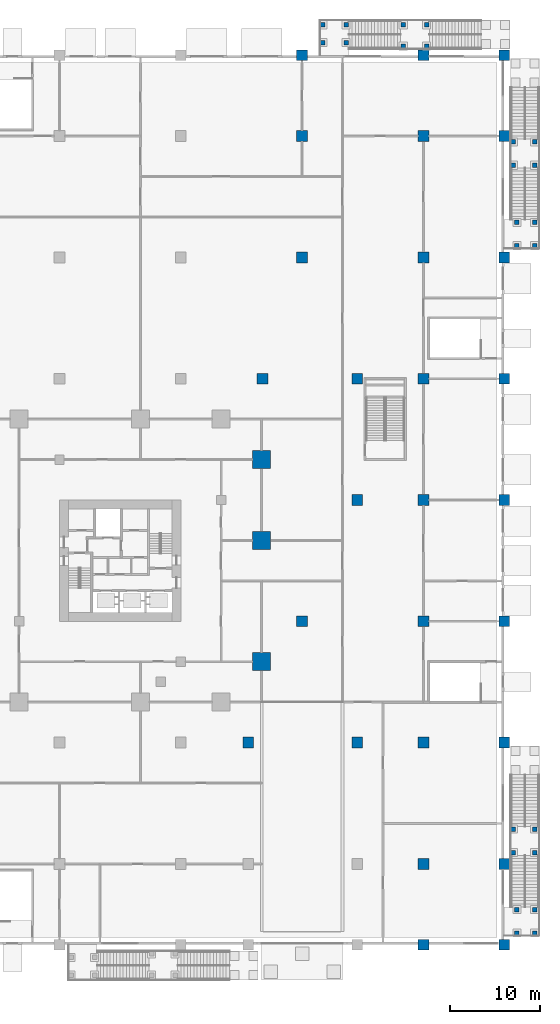
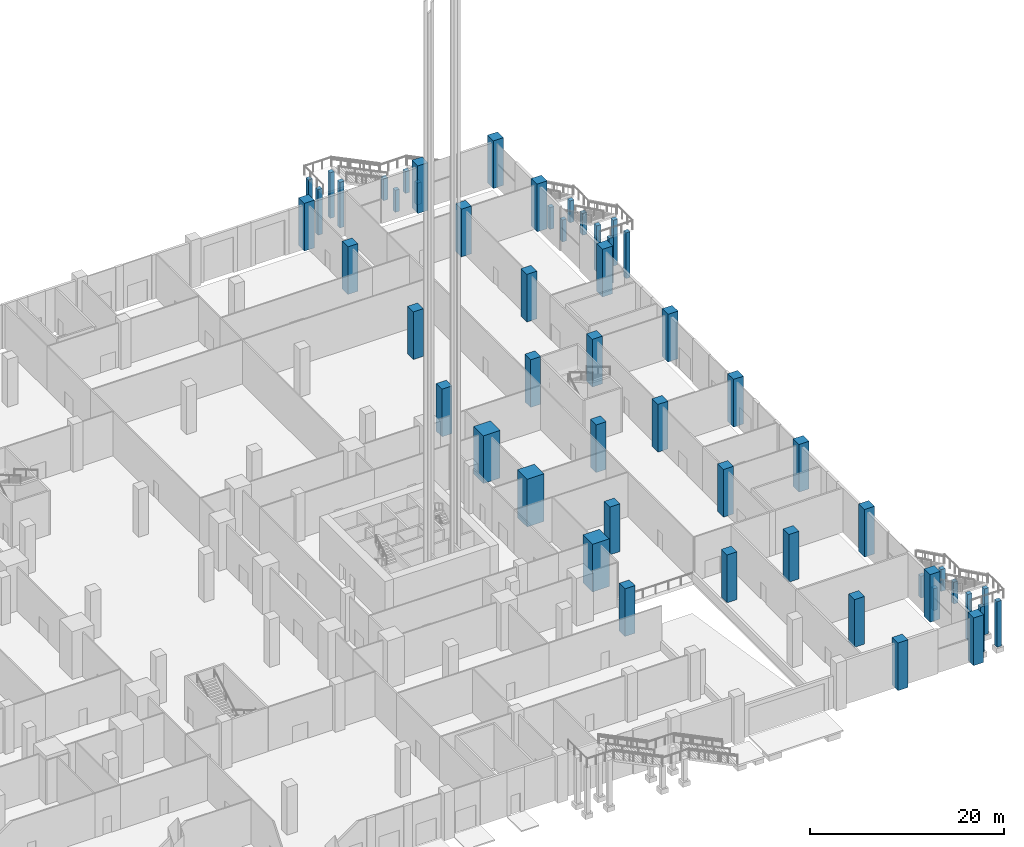
# One storey, part 4 of 68: 54 columns.
"""IFC4 building model written with IfcOpenShell, lengths in metres."""

import ifcopenshell
import ifcopenshell.guid

model = None  # the IFC model being written
_history = None  # IfcOwnerHistory: only IFC2X3 demands one
_inside = {}  # id of a spatial element -> (the spatial element, [elements in it])
_under = {}  # id of a project, library or spatial element -> (it, [spatial elements below it])
_declared = {}  # id of a project -> (the project, [libraries it declares])
_typed = {}  # id of a type object -> (the type object, [elements of that type])
_made_of = {}  # id of a material, layer set ... -> (it, [elements and type objects made of it])


def new_model(schema):
    """Start an empty IFC model of exactly this schema.

    Asked for "IFC4X3", IfcOpenShell would pick the latest addendum, in which some entities
    have other attributes; the version numbers below select the first issue.
    IFC2X3 requires an IfcOwnerHistory on every rooted entity: one is made here for all.
    """
    global model, _history
    if schema == "IFC4X3":
        model = ifcopenshell.file(schema_version=(4, 3, 0, 0))
    else:
        model = ifcopenshell.file(schema=schema)
    _inside.clear()
    _under.clear()
    _declared.clear()
    _typed.clear()
    _made_of.clear()
    _history = None
    if model.schema == "IFC2X3":
        org = make("IfcOrganization", Name="unknown")
        user = make(
            "IfcPersonAndOrganization",
            ThePerson=make("IfcPerson", FamilyName="unknown"),
            TheOrganization=org,
        )
        app = make(
            "IfcApplication",
            ApplicationDeveloper=org,
            Version="unknown",
            ApplicationFullName="unknown",
            ApplicationIdentifier="unknown",
        )
        _history = make(
            "IfcOwnerHistory",
            OwningUser=user,
            OwningApplication=app,
            ChangeAction="ADDED",
            CreationDate=0,
        )
    return model


def make(cls, **values):
    """One entity of the class cls with the attributes given. An attribute that is None is left unset."""
    return model.create_entity(
        cls, **{name: value for name, value in values.items() if value is not None}
    )


def rooted(cls, **values):
    """An entity with a GlobalId (a new one), such as an element, a storey or a relation."""
    return make(cls, GlobalId=ifcopenshell.guid.new(), OwnerHistory=_history, **values)


def si_unit(unit_type, name, prefix=None):
    """IfcSIUnit, for example si_unit("LENGTHUNIT", "METRE", prefix="MILLI")."""
    return make("IfcSIUnit", UnitType=unit_type, Prefix=prefix, Name=name)


def assignment(units):
    """IfcUnitAssignment: the units of a project."""
    return None if units is None else make("IfcUnitAssignment", Units=units)


def point(xyz):
    """IfcCartesianPoint."""
    return None if xyz is None else make("IfcCartesianPoint", Coordinates=xyz)


def direction(xyz):
    """IfcDirection."""
    return None if xyz is None else make("IfcDirection", DirectionRatios=xyz)


def frame(location, z_axis=None, x_axis=None):
    """IfcAxis2Placement3D, a coordinate frame: its origin and axes. An axis left out is left unset."""
    return make(
        "IfcAxis2Placement3D",
        Location=point(location),
        Axis=direction(z_axis),
        RefDirection=direction(x_axis),
    )


def frame_2d(location, x_axis=None):
    """IfcAxis2Placement2D, a coordinate frame in the plane: its origin and x axis."""
    return make(
        "IfcAxis2Placement2D", Location=point(location), RefDirection=direction(x_axis)
    )


def origin():
    """The frame at (0, 0, 0) with its axes left unset."""
    return frame((0.0, 0.0, 0.0))


def origin_2d():
    """The frame at (0, 0) in the plane with its x axis left unset."""
    return frame_2d((0.0, 0.0))


def place(relative_to, where):
    """IfcLocalPlacement: puts the frame where relative to a parent placement (None: the world)."""
    return make(
        "IfcLocalPlacement", PlacementRelTo=relative_to, RelativePlacement=where
    )


def context(
    kind, dimensions, precision=None, world=None, true_north=None, identifier=None
):
    """IfcGeometricRepresentationContext, for example the 3D "Model" context."""
    return make(
        "IfcGeometricRepresentationContext",
        ContextIdentifier=identifier,
        ContextType=kind,
        CoordinateSpaceDimension=dimensions,
        Precision=precision,
        WorldCoordinateSystem=world,
        TrueNorth=true_north,
    )


def subcontext(parent, identifier, kind, view, scale=None):
    """IfcGeometricRepresentationSubContext, for example "Body" below "Model"."""
    return make(
        "IfcGeometricRepresentationSubContext",
        ContextIdentifier=identifier,
        ContextType=kind,
        ParentContext=parent,
        TargetScale=scale,
        TargetView=view,
    )


def project(units=None, contexts=None):
    """IfcProject with its units and contexts."""
    return rooted(
        "IfcProject",
        Name="project",
        RepresentationContexts=contexts,
        UnitsInContext=assignment(units),
    )


def spatial(cls, under=None, at=None, **own):
    """A site, building, storey or space (cls), placed at a placement, below another one or the project."""
    s = rooted(cls, ObjectPlacement=at, **own)
    if under is not None:
        _under.setdefault(under.id(), (under, []))[1].append(s)
    return s


def profile(cls, at=None, kind="AREA", **sizes):
    """A parametric profile (cls). Its sizes go by their IFC names, for example OverallWidth=200.0."""
    return make(cls, ProfileType=kind, Position=at, **sizes)


def rectangle(**sizes):
    """IfcRectangleProfileDef."""
    return profile("IfcRectangleProfileDef", **sizes)


def extrude(swept, where, along, depth):
    """IfcExtrudedAreaSolid: the profile swept, set in the frame where, extruded along a direction by depth."""
    return make(
        "IfcExtrudedAreaSolid",
        SweptArea=swept,
        Position=where,
        ExtrudedDirection=direction(along),
        Depth=depth,
    )


def shape(context_of_items, identifier, shape_type, items):
    """IfcShapeRepresentation: the items that make up one representation, for example the "Body"."""
    return make(
        "IfcShapeRepresentation",
        ContextOfItems=context_of_items,
        RepresentationIdentifier=identifier,
        RepresentationType=shape_type,
        Items=items,
    )


def material(Name=None, Category=None):
    """IfcMaterial."""
    return make("IfcMaterial", Name=Name, Category=Category)


def material_profile(
    of_material, cross_section, Name=None, Category=None, Priority=None
):
    """IfcMaterialProfile: a cross section and its material."""
    return make(
        "IfcMaterialProfile",
        Name=Name,
        Material=of_material,
        Profile=cross_section,
        Priority=Priority,
        Category=Category,
    )


def profile_set(profiles, Name=None, composite=None):
    """IfcMaterialProfileSet."""
    return make(
        "IfcMaterialProfileSet",
        Name=Name,
        MaterialProfiles=profiles,
        CompositeProfile=composite,
    )


def made_of(thing, what):
    """Note that an element or type object is made of a material, layer set ...; save() writes the relation."""
    if what is not None:
        _made_of.setdefault(what.id(), (what, []))[1].append(thing)
    return thing


def type_object(cls, material=None, **own):
    """A type object (cls), such as IfcWallType, which elements share."""
    return made_of(rooted(cls, **own), material)


def element(
    cls,
    number,
    at=None,
    inside=None,
    cuts=None,
    type_object=None,
    material=None,
    context=None,
    identifier="Body",
    shape_type=None,
    held_by="IfcProductDefinitionShape",
    body=None,
    shapes=None,
    **own,
):
    """One element of the class cls, such as IfcWall. Its Tag is "e" and its number.

    at: its placement. inside: the storey or other place that contains it. cuts: it is an
    opening in that element (IfcRelVoidsElement). A single representation is given by context,
    identifier, shape_type and body (its items); several are given by shapes. held_by: the class
    of the entity that holds the representations. save() writes the other relations.
    """
    e = rooted(cls, Tag="e%d" % number, ObjectPlacement=at, **own)
    if body is not None:
        shapes = [shape(context, identifier, shape_type, body)]
    if shapes is not None:
        e.Representation = make(held_by, Representations=shapes)
    if inside is not None:
        _inside.setdefault(inside.id(), (inside, []))[1].append(e)
    if cuts is not None:
        rooted(
            "IfcRelVoidsElement", RelatingBuildingElement=cuts, RelatedOpeningElement=e
        )
    if type_object is not None:
        _typed.setdefault(type_object.id(), (type_object, []))[1].append(e)
    return made_of(e, material)


def aggregate(whole, parts):
    """IfcRelAggregates: a whole, such as a stair, and the parts it consists of."""
    return rooted("IfcRelAggregates", RelatingObject=whole, RelatedObjects=parts)


def save(model, path):
    """Write the relations noted so far, then the file.

    IfcRelAggregates (storeys below a building ...), IfcRelContainedInSpatialStructure (elements
    in a storey), IfcRelDefinesByType, IfcRelAssociatesMaterial and IfcRelDeclares: one each for
    every whole, place, type object, material and project.
    """
    for whole, parts in _under.values():
        aggregate(whole, parts)
    for where, things in _inside.values():
        rooted(
            "IfcRelContainedInSpatialStructure",
            RelatedElements=things,
            RelatingStructure=where,
        )
    for kind, things in _typed.values():
        rooted("IfcRelDefinesByType", RelatedObjects=things, RelatingType=kind)
    for what, things in _made_of.values():
        rooted("IfcRelAssociatesMaterial", RelatedObjects=things, RelatingMaterial=what)
    for by, libraries in _declared.values():
        rooted("IfcRelDeclares", RelatingContext=by, RelatedDefinitions=libraries)
    model.write(path)


model = new_model("IFC4")

# Units and contexts
model_context = context("Model", 3, precision=1e-05, world=origin(), true_north=direction((0.0, 1.0)))
body_context = subcontext(model_context, "Body", "Model", "MODEL_VIEW")
ifc_project = project(units=[si_unit("LENGTHUNIT", "METRE"), si_unit("AREAUNIT", "SQUARE_METRE"), si_unit("VOLUMEUNIT", "CUBIC_METRE"), si_unit("PLANEANGLEUNIT", "RADIAN"), si_unit("MASSUNIT", "GRAM", prefix="KILO")], contexts=[model_context])

# Site, building, storey
site_placement = place(None, origin())
site = spatial("IfcSite", under=ifc_project, at=site_placement, CompositionType="ELEMENT")
building_placement = place(site_placement, origin())
building = spatial("IfcBuilding", under=site, at=building_placement, Name="Altepetl Exchange Towers", CompositionType="ELEMENT")
storey_placement = place(building_placement, origin())
storey = spatial("IfcBuildingStorey", under=building, at=storey_placement, Name="L00 Ground concourse", CompositionType="ELEMENT", Elevation=0.0)

# Columns
ifc_material_1 = material(Name="Concrete C35/45", Category="concrete")
ifc_material_profile_1 = material_profile(ifc_material_1, rectangle(XDim=0.5, YDim=0.5, at=origin_2d()), Name="500 x 500")
ifc_profile_set_1 = profile_set([ifc_material_profile_1], Name="Concrete C35/45")
column_type_1 = type_object("IfcColumnType", Name="Garden steps pier 500", PredefinedType="COLUMN", material=ifc_profile_set_1)
for number, where, name in (
    (1, (154.39990234375, 77.800048828125, 0.0), "col:P:L00:G6pier0"),
    (2, (156.39990234375, 77.800048828125, 0.0), "col:P:L00:G6pier1"),
    (3, (154.39990234375, 80.39990234375, 0.0), "col:P:L00:G6pier2"),
    (4, (156.39990234375, 80.39990234375, 0.0), "col:P:L00:G6pier3"),
):
    element("IfcColumn", number, at=place(storey_placement, frame(where)), inside=storey, type_object=column_type_1, Name=name, PredefinedType="COLUMN", context=body_context, shape_type="SweptSolid", body=[
        extrude(rectangle(XDim=0.5, YDim=0.5, at=origin_2d()), origin(), (0.0, 0.0, 1.0), 5.75),
    ])
for number, where, name in (
    (5, (154.0, 86.760009765625, 0.0), "col:P:L00:G6pier4"),
    (6, (156.39990234375, 86.760009765625, 0.0), "col:P:L00:G6pier5"),
    (7, (154.0, 89.360107421875, 0.0), "col:P:L00:G6pier6"),
    (8, (156.39990234375, 89.360107421875, 0.0), "col:P:L00:G6pier7"),
):
    element("IfcColumn", number, at=place(storey_placement, frame(where)), inside=storey, type_object=column_type_1, Name=name, PredefinedType="COLUMN", context=body_context, shape_type="SweptSolid", body=[
        extrude(rectangle(XDim=0.5, YDim=0.5, at=origin_2d()), origin(), (0.0, 0.0, 1.0), 2.75),
    ])
for number, where, name in (
    (9, (132.800048828125, 100.39990234375, 0.0), "col:P:L00:G8pier0"),
    (10, (132.800048828125, 102.39990234375, 0.0), "col:P:L00:G8pier1"),
    (11, (135.39990234375, 100.39990234375, 0.0), "col:P:L00:G8pier2"),
    (12, (135.39990234375, 102.39990234375, 0.0), "col:P:L00:G8pier3"),
):
    element("IfcColumn", number, at=place(storey_placement, frame(where)), inside=storey, type_object=column_type_1, Name=name, PredefinedType="COLUMN", context=body_context, shape_type="SweptSolid", body=[
        extrude(rectangle(XDim=0.5, YDim=0.5, at=origin_2d()), origin(), (0.0, 0.0, 1.0), 5.75),
    ])
for number, where, name in (
    (13, (141.760009765625, 100.0, 0.0), "col:P:L00:G8pier4"),
    (14, (141.760009765625, 102.39990234375, 0.0), "col:P:L00:G8pier5"),
    (15, (144.360107421875, 100.0, 0.0), "col:P:L00:G8pier6"),
    (16, (144.360107421875, 102.39990234375, 0.0), "col:P:L00:G8pier7"),
):
    element("IfcColumn", number, at=place(storey_placement, frame(where)), inside=storey, type_object=column_type_1, Name=name, PredefinedType="COLUMN", context=body_context, shape_type="SweptSolid", body=[
        extrude(rectangle(XDim=0.5, YDim=0.5, at=origin_2d()), origin(), (0.0, 0.0, 1.0), 2.75),
    ])
for number, where, name in (
    (17, (154.39990234375, 1.300048828125, 0.0), "col:P:L00:G10pier0"),
    (18, (156.39990234375, 1.300048828125, 0.0), "col:P:L00:G10pier1"),
    (19, (154.39990234375, 3.89990234375, 0.0), "col:P:L00:G10pier2"),
    (20, (156.39990234375, 3.89990234375, 0.0), "col:P:L00:G10pier3"),
):
    element("IfcColumn", number, at=place(storey_placement, frame(where)), inside=storey, type_object=column_type_1, Name=name, PredefinedType="COLUMN", context=body_context, shape_type="SweptSolid", body=[
        extrude(rectangle(XDim=0.5, YDim=0.5, at=origin_2d()), origin(), (0.0, 0.0, 1.0), 5.75),
    ])
for number, where, name in (
    (21, (154.0, 10.260009765625, 0.0), "col:P:L00:G10pier4"),
    (22, (156.39990234375, 10.260009765625, 0.0), "col:P:L00:G10pier5"),
    (23, (154.0, 12.860107421875, 0.0), "col:P:L00:G10pier6"),
    (24, (156.39990234375, 12.860107421875, 0.0), "col:P:L00:G10pier7"),
):
    element("IfcColumn", number, at=place(storey_placement, frame(where)), inside=storey, type_object=column_type_1, Name=name, PredefinedType="COLUMN", context=body_context, shape_type="SweptSolid", body=[
        extrude(rectangle(XDim=0.5, YDim=0.5, at=origin_2d()), origin(), (0.0, 0.0, 1.0), 2.75),
    ])
ifc_material_2 = material(Name="Concrete C70/85 precast with cantera amarilla facing", Category="concrete")
ifc_material_profile_2 = material_profile(ifc_material_2, rectangle(XDim=2.0, YDim=2.0, at=origin_2d()), Name="2000 x 2000")
ifc_profile_set_2 = profile_set([ifc_material_profile_2], Name="Concrete C70/85 precast with cantera amarilla facing")
column_type_2 = type_object("IfcColumnType", Name="Mega-column 2000 cantera amarilla", PredefinedType="COLUMN", material=ifc_profile_set_2)
column_placement = place(storey_placement, frame((126.0, 54.0, 0.0)))
element("IfcColumn", 25, at=column_placement, inside=storey, type_object=column_type_2, Name="col:B:L00:m11", PredefinedType="COLUMN", context=body_context, shape_type="SweptSolid", body=[
    extrude(rectangle(XDim=2.0, YDim=2.0, at=origin_2d()), origin(), (0.0, 0.0, 1.0), 6.0),
])
ifc_material_3 = material(Name="Concrete C70/85 precast with cantera blanca facing", Category="concrete")
ifc_material_profile_3 = material_profile(ifc_material_3, rectangle(XDim=2.0, YDim=2.0, at=origin_2d()), Name="2000 x 2000")
ifc_profile_set_3 = profile_set([ifc_material_profile_3], Name="Concrete C70/85 precast with cantera blanca facing")
column_type_3 = type_object("IfcColumnType", Name="Mega-column 2000 cantera blanca", PredefinedType="COLUMN", material=ifc_profile_set_3)
for number, where, name in (
    (26, (126.0, 31.5, 0.0), "col:B:L00:m09"),
    (27, (126.0, 45.0, 0.0), "col:B:L00:m10"),
):
    element("IfcColumn", number, at=place(storey_placement, frame(where)), inside=storey, type_object=column_type_3, Name=name, PredefinedType="COLUMN", context=body_context, shape_type="SweptSolid", body=[
        extrude(rectangle(XDim=2.0, YDim=2.0, at=origin_2d()), origin(), (0.0, 0.0, 1.0), 6.0),
    ])
ifc_material_4 = material(Name="Concrete C70/85", Category="concrete")
ifc_material_profile_4 = material_profile(ifc_material_4, rectangle(XDim=1.199951171875, YDim=1.199951171875, at=origin_2d()), Name="1200 x 1200")
ifc_profile_set_4 = profile_set([ifc_material_profile_4], Name="Concrete C70/85")
column_type_4 = type_object("IfcColumnType", Name="Podium column 1200", PredefinedType="COLUMN", material=ifc_profile_set_4)
for number, where, name in (
    (28, (124.5, 22.5, 0.0), "col:P:L00:079"),
    (29, (126.10009765625, 63.0, 0.0), "col:P:L00:080"),
    (30, (130.5, 36.0, 0.0), "col:P:L00:081"),
    (31, (130.5, 76.5, 0.0), "col:P:L00:082"),
    (32, (130.5, 90.0, 0.0), "col:P:L00:083"),
    (33, (130.5, 99.0, 0.0), "col:P:L00:084"),
    (34, (136.64990234375, 22.5, 0.0), "col:P:L00:087"),
    (35, (136.64990234375, 49.5, 0.0), "col:P:L00:088"),
    (36, (136.64990234375, 63.0, 0.0), "col:P:L00:089"),
    (37, (144.0, 0.0, 0.0), "col:P:L00:090"),
    (38, (144.0, 9.0, 0.0), "col:P:L00:091"),
    (39, (144.0, 22.5, 0.0), "col:P:L00:092"),
    (40, (144.0, 36.0, 0.0), "col:P:L00:093"),
    (41, (144.0, 49.5, 0.0), "col:P:L00:094"),
    (42, (144.0, 63.0, 0.0), "col:P:L00:095"),
    (43, (144.0, 76.5, 0.0), "col:P:L00:096"),
    (44, (144.0, 90.0, 0.0), "col:P:L00:097"),
    (45, (144.0, 99.0, 0.0), "col:P:L00:098"),
    (46, (153.0, 0.0, 0.0), "col:P:L00:099"),
    (47, (153.0, 9.0, 0.0), "col:P:L00:100"),
    (48, (153.0, 22.5, 0.0), "col:P:L00:101"),
    (49, (153.0, 36.0, 0.0), "col:P:L00:102"),
    (50, (153.0, 49.5, 0.0), "col:P:L00:103"),
    (51, (153.0, 63.0, 0.0), "col:P:L00:104"),
    (52, (153.0, 76.5, 0.0), "col:P:L00:105"),
    (53, (153.0, 90.0, 0.0), "col:P:L00:106"),
    (54, (153.0, 99.0, 0.0), "col:P:L00:107"),
):
    element("IfcColumn", number, at=place(storey_placement, frame(where)), inside=storey, type_object=column_type_4, Name=name, PredefinedType="COLUMN", context=body_context, shape_type="SweptSolid", body=[
        extrude(rectangle(XDim=1.199951171875, YDim=1.199951171875, at=origin_2d()), origin(), (0.0, 0.0, 1.0), 6.0),
    ])

save(model, "model.ifc")
